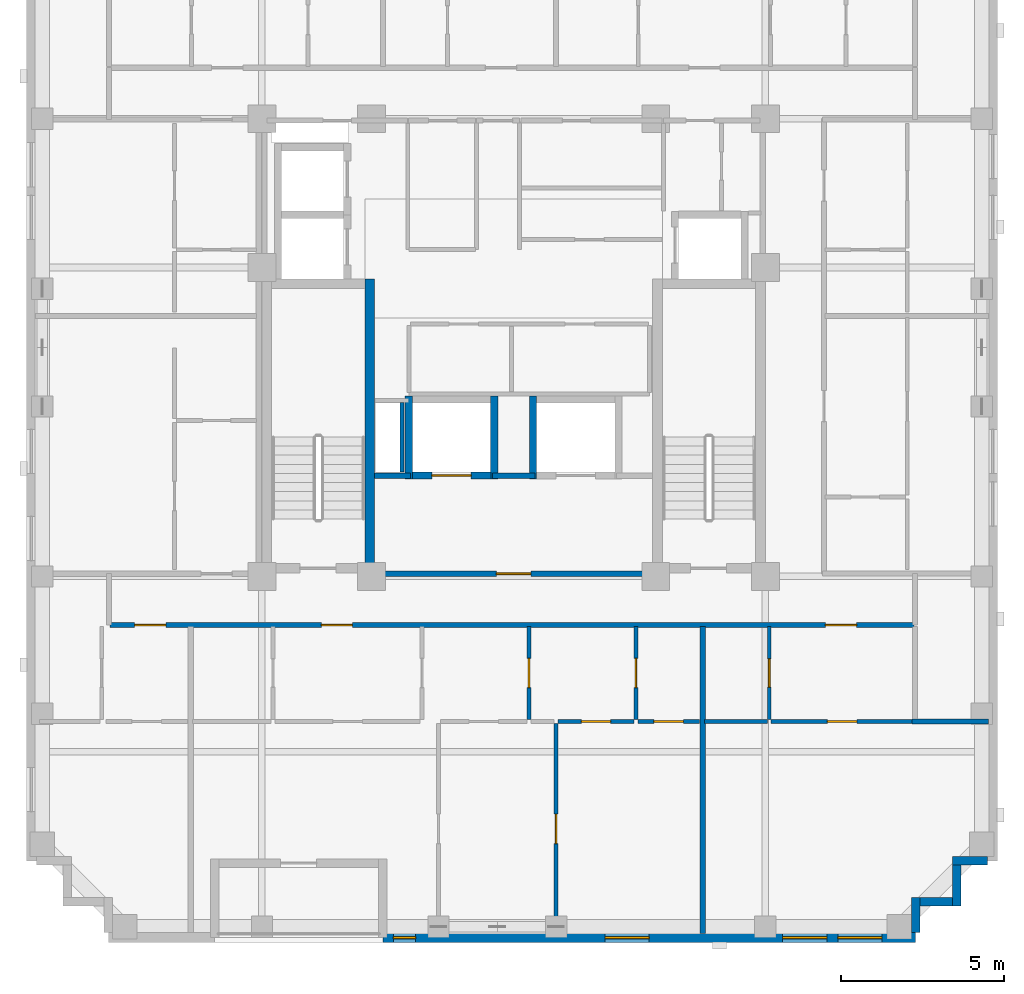
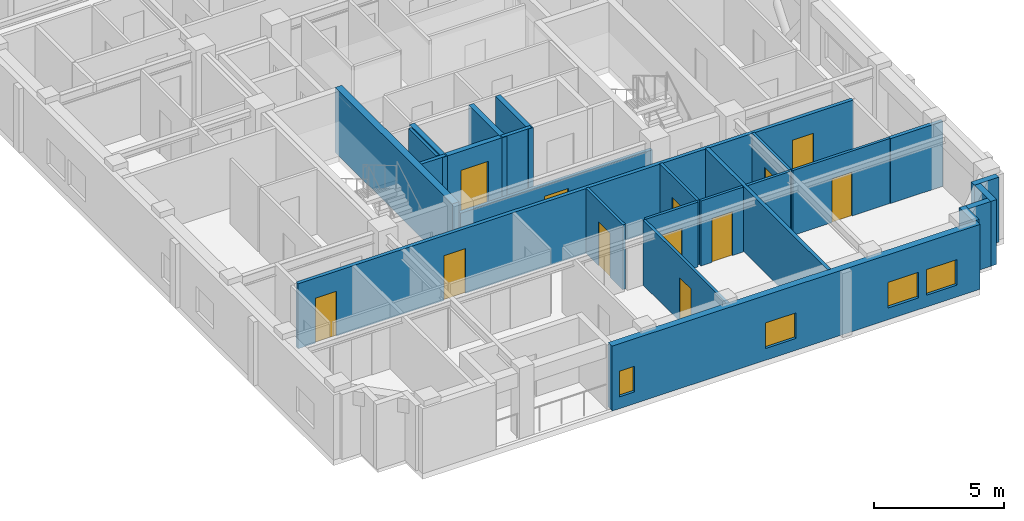
# One storey, part 3 of 11: 25 walls, 12 doors, 4 windows, 16 openings.
"""IFC4 building model written with IfcOpenShell, lengths in metres."""

from ifc_helpers import new_model, si_unit, derived_unit, direction, frame, frame_2d, origin, place, context, subcontext, project, spatial, rectangle, extrude, material, layer, layer_set, type_object, element, fill, save


model = new_model("IFC4")

# Units and contexts
model_context = context("Model", 3, precision=1e-05, world=origin(), true_north=direction((0.0, 1.0)))
body_context = subcontext(model_context, "Body", "Model", "MODEL_VIEW")
ifc_project = project(units=[si_unit("LENGTHUNIT", "METRE"), si_unit("AREAUNIT", "SQUARE_METRE"), si_unit("VOLUMEUNIT", "CUBIC_METRE"), si_unit("PLANEANGLEUNIT", "RADIAN"), si_unit("MASSUNIT", "GRAM", prefix="KILO"), derived_unit("THERMALTRANSMITTANCEUNIT", [(si_unit("MASSUNIT", "GRAM", prefix="KILO"), 1), (si_unit("TIMEUNIT", "SECOND"), -3), (si_unit("THERMODYNAMICTEMPERATUREUNIT", "KELVIN"), -1)])], contexts=[model_context])

# Site, building, storey
site_placement = place(None, origin())
site = spatial("IfcSite", under=ifc_project, at=site_placement, CompositionType="ELEMENT")
building_placement = place(site_placement, origin())
building = spatial("IfcBuilding", under=site, at=building_placement, Name="Korrvale Station Residences", CompositionType="ELEMENT")
storey_placement = place(building_placement, frame((0.0, 0.0, 190.89990234375)))
storey = spatial("IfcBuildingStorey", under=building, at=storey_placement, Name="L55", CompositionType="ELEMENT", Elevation=190.89990234375)

# Walls
ifc_material_1 = material(Name="Concrete C50/60", Category="concrete")
ifc_layer_1 = layer(ifc_material_1, 0.300048828125, Name="Concrete C50/60")
ifc_layer_set_1 = layer_set([ifc_layer_1], Name="Concrete C50/60")
wall_type_1 = type_object("IfcWallType", Name="WAL-CORE-300-C50", PredefinedType="SHEAR", material=ifc_layer_set_1)
wall_1_placement = place(storey_placement, frame((21.10009765625, 15.10009765625, 0.0), z_axis=(0.0, 0.0, 1.0), x_axis=(0.0, 1.0, 0.0)))
element("IfcWall", 1, at=wall_1_placement, inside=storey, type_object=wall_type_1, Name="L55 ST-1 Core Shear Wall East", PredefinedType="SHEAR", context=body_context, shape_type="SweptSolid", body=[
    extrude(rectangle(XDim=9.0, YDim=0.300048828125, at=frame_2d((4.5, 0.0))), origin(), (0.0, 0.0, 1.0), 3.0400390625),
])
ifc_material_2 = material(Name="Precast concrete C45/55", Category="concrete")
ifc_layer_2 = layer(ifc_material_2, 0.260009765625, Name="Precast concrete C45/55")
ifc_layer_set_2 = layer_set([ifc_layer_2], Name="Precast concrete C45/55")
wall_type_2 = type_object("IfcWallType", Name="WAL-EXT-LOG260", PredefinedType="SOLIDWALL", material=ifc_layer_set_2)
wall_2_placement = place(storey_placement, frame((39.998046875, 6.300048828125, 0.0), z_axis=(0.0, 0.0, 1.0), x_axis=(-1.0, 0.0, 0.0)))
element("IfcWall", 2, at=wall_2_placement, inside=storey, type_object=wall_type_2, Name="L55 Serrated Corner Precast Step SE-1", PredefinedType="SOLIDWALL", context=body_context, shape_type="SweptSolid", body=[
    extrude(rectangle(XDim=1.078125, YDim=0.260009765625, at=frame_2d((0.5390625, 0.0))), origin(), (0.0, 0.0, 1.0), 3.0400390625),
])
wall_3_placement = place(storey_placement, frame((39.050048828125, 6.16796875, 0.0), z_axis=(0.0, 0.0, 1.0), x_axis=(0.0, -1.0, 0.0)))
element("IfcWall", 3, at=wall_3_placement, inside=storey, type_object=wall_type_2, Name="L55 Serrated Corner Precast Step SE-2", PredefinedType="SOLIDWALL", context=body_context, shape_type="SweptSolid", body=[
    extrude(rectangle(XDim=1.248046875, YDim=0.260009765625, at=frame_2d((0.6240234375, 0.0))), origin(), (0.0, 0.0, 1.0), 3.0400390625),
])
wall_4_placement = place(storey_placement, frame((38.91796875, 5.050048828125, 0.0), z_axis=(0.0, 0.0, 1.0), x_axis=(-1.0, 0.0, 0.0)))
element("IfcWall", 4, at=wall_4_placement, inside=storey, type_object=wall_type_2, Name="L55 Serrated Corner Precast Step SE-3", PredefinedType="SOLIDWALL", context=body_context, shape_type="SweptSolid", body=[
    extrude(rectangle(XDim=0.986083984375, YDim=0.260009765625, at=frame_2d((0.4931640625, 0.0))), origin(), (0.0, 0.0, 1.0), 3.0400390625),
])
wall_5_placement = place(storey_placement, frame((37.800048828125, 5.179931640625, 0.0), z_axis=(0.0, 0.0, 1.0), x_axis=(0.0, -1.0, 0.0)))
element("IfcWall", 5, at=wall_5_placement, inside=storey, type_object=wall_type_2, Name="L55 Serrated Corner Precast Step SE-4", PredefinedType="SOLIDWALL", context=body_context, shape_type="SweptSolid", body=[
    extrude(rectangle(XDim=1.077880859375, YDim=0.260009765625, at=frame_2d((0.5390625, 0.0))), origin(), (0.0, 0.0, 1.0), 3.0400390625),
])

# Wall, openings, windows
ifc_layer_3 = layer(ifc_material_2, 0.300048828125, Name="Precast concrete C45/55")
ifc_layer_set_3 = layer_set([ifc_layer_3], Name="Precast concrete C45/55")
wall_type_3 = type_object("IfcWallType", Name="WAL-EXT-PC300", PredefinedType="SOLIDWALL", material=ifc_layer_set_3)
wall_6_placement = place(storey_placement, frame((37.800048828125, 3.949951171875, 0.0), z_axis=(0.0, 0.0, 1.0), x_axis=(-1.0, 0.0, 0.0)))
wall_6 = element("IfcWall", 6, at=wall_6_placement, inside=storey, type_object=wall_type_3, Name="L55 South Exterior Precast Wall 1", PredefinedType="SOLIDWALL", context=body_context, shape_type="SweptSolid", body=[
    extrude(rectangle(XDim=16.300048828125, YDim=0.300048828125, at=frame_2d((8.14990234375, 0.0))), origin(), (0.0, 0.0, 1.0), 3.0400390625),
])
opening_1_placement = place(wall_6_placement, frame((15.300048828125, 0.0, 0.550048828125)))
opening_1 = element("IfcOpeningElement", 7, at=opening_1_placement, cuts=wall_6, Name="Opening W-12", PredefinedType="OPENING", context=body_context, shape_type="SweptSolid", body=[
    extrude(rectangle(XDim=0.679931640625, YDim=1.199951171875, at=frame_2d((0.33984375, 0.60009765625))), frame((0.0, 0.16015625, 0.0), z_axis=(0.0, -1.0, 0.0), x_axis=(1.0, 0.0, 0.0)), (0.0, 0.0, 1.0), 0.320068359375),
])
opening_2_placement = place(wall_6_placement, frame((8.154052734375, 0.0, 0.550048828125)))
opening_2 = element("IfcOpeningElement", 8, at=opening_2_placement, cuts=wall_6, Name="Opening W-10", PredefinedType="OPENING", context=body_context, shape_type="SweptSolid", body=[
    extrude(rectangle(XDim=1.35009765625, YDim=1.199951171875, at=frame_2d((0.675048828125, 0.60009765625))), frame((0.0, 0.16015625, 0.0), z_axis=(0.0, -1.0, 0.0), x_axis=(1.0, 0.0, 0.0)), (0.0, 0.0, 1.0), 0.320068359375),
])
opening_3_placement = place(wall_6_placement, frame((2.720947265625, 0.0, 0.550048828125)))
opening_3 = element("IfcOpeningElement", 9, at=opening_3_placement, cuts=wall_6, Name="Opening W-10", PredefinedType="OPENING", context=body_context, shape_type="SweptSolid", body=[
    extrude(rectangle(XDim=1.35009765625, YDim=1.199951171875, at=frame_2d((0.675048828125, 0.60009765625))), frame((0.0, 0.16015625, 0.0), z_axis=(0.0, -1.0, 0.0), x_axis=(1.0, 0.0, 0.0)), (0.0, 0.0, 1.0), 0.320068359375),
])
opening_4_placement = place(wall_6_placement, frame((1.034912109375, 0.0, 0.550048828125)))
opening_4 = element("IfcOpeningElement", 10, at=opening_4_placement, cuts=wall_6, Name="Opening W-10", PredefinedType="OPENING", context=body_context, shape_type="SweptSolid", body=[
    extrude(rectangle(XDim=1.35009765625, YDim=1.199951171875, at=frame_2d((0.675048828125, 0.60009765625))), frame((0.0, 0.16015625, 0.0), z_axis=(0.0, -1.0, 0.0), x_axis=(1.0, 0.0, 0.0)), (0.0, 0.0, 1.0), 0.320068359375),
])
ifc_material_3 = material(Name="Thermally broken aluminium frame with triple low-e glazing", Category="aluminium")
window_type_1 = type_object("IfcWindowType", Name="WIN-W10", PartitioningType="SINGLE_PANEL", PredefinedType="WINDOW", material=ifc_material_3)
window_1_placement = place(opening_2_placement, origin())
window_1 = element("IfcWindow", 11, at=window_1_placement, inside=storey, type_object=window_type_1, Name="L55 Punched Window 03", OverallHeight=1.199951171875, OverallWidth=1.35009765625, PartitioningType="SINGLE_PANEL", PredefinedType="WINDOW", context=body_context, shape_type="SweptSolid", body=[
    extrude(rectangle(XDim=1.35009765625, YDim=1.199951171875, at=frame_2d((0.675048828125, 0.60009765625))), frame((0.0, 0.030029296875, 0.0), z_axis=(0.0, -1.0, 0.0), x_axis=(1.0, 0.0, 0.0)), (0.0, 0.0, 1.0), 0.06005859375),
])
fill(opening_2, window_1)
window_2_placement = place(opening_3_placement, origin())
window_2 = element("IfcWindow", 12, at=window_2_placement, inside=storey, type_object=window_type_1, Name="L55 Punched Window 04", OverallHeight=1.199951171875, OverallWidth=1.35009765625, PartitioningType="SINGLE_PANEL", PredefinedType="WINDOW", context=body_context, shape_type="SweptSolid", body=[
    extrude(rectangle(XDim=1.35009765625, YDim=1.199951171875, at=frame_2d((0.675048828125, 0.60009765625))), frame((0.0, 0.030029296875, 0.0), z_axis=(0.0, -1.0, 0.0), x_axis=(1.0, 0.0, 0.0)), (0.0, 0.0, 1.0), 0.06005859375),
])
fill(opening_3, window_2)
window_3_placement = place(opening_4_placement, origin())
window_3 = element("IfcWindow", 13, at=window_3_placement, inside=storey, type_object=window_type_1, Name="L55 Punched Window 05", OverallHeight=1.199951171875, OverallWidth=1.35009765625, PartitioningType="SINGLE_PANEL", PredefinedType="WINDOW", context=body_context, shape_type="SweptSolid", body=[
    extrude(rectangle(XDim=1.35009765625, YDim=1.199951171875, at=frame_2d((0.675048828125, 0.60009765625))), frame((0.0, 0.030029296875, 0.0), z_axis=(0.0, -1.0, 0.0), x_axis=(1.0, 0.0, 0.0)), (0.0, 0.0, 1.0), 0.06005859375),
])
fill(opening_4, window_3)
window_type_2 = type_object("IfcWindowType", Name="WIN-W12", PartitioningType="SINGLE_PANEL", PredefinedType="WINDOW", material=ifc_material_3)
window_4_placement = place(opening_1_placement, origin())
window_4 = element("IfcWindow", 14, at=window_4_placement, inside=storey, type_object=window_type_2, Name="L55 Punched Window 02", OverallHeight=1.199951171875, OverallWidth=0.679931640625, PartitioningType="SINGLE_PANEL", PredefinedType="WINDOW", context=body_context, shape_type="SweptSolid", body=[
    extrude(rectangle(XDim=0.679931640625, YDim=1.199951171875, at=frame_2d((0.33984375, 0.60009765625))), frame((0.0, 0.030029296875, 0.0), z_axis=(0.0, -1.0, 0.0), x_axis=(1.0, 0.0, 0.0)), (0.0, 0.0, 1.0), 0.06005859375),
])
fill(opening_1, window_4)

# Wall
ifc_material_4 = material(Name="Acoustic steel-stud gypsum board partition", Category="steel")
ifc_layer_4 = layer(ifc_material_4, 0.1201171875, Name="Acoustic steel-stud gypsum board partition")
ifc_layer_set_4 = layer_set([ifc_layer_4], Name="Acoustic steel-stud gypsum board partition")
wall_type_4 = type_object("IfcWallType", Name="WAL-PART-125", PredefinedType="PARTITIONING", material=ifc_layer_set_4)
wall_7_placement = place(storey_placement, frame((22.080078125, 18.199951171875, 0.0), z_axis=(0.0, 0.0, 1.0), x_axis=(0.0, 1.0, 0.0)))
element("IfcWall", 15, at=wall_7_placement, inside=storey, type_object=wall_type_4, Name="L55 Core Partition CW-RSWT", PredefinedType="PARTITIONING", context=body_context, shape_type="SweptSolid", body=[
    extrude(rectangle(XDim=2.1201171875, YDim=0.1201171875, at=frame_2d((1.06005859375, 0.0))), origin(), (0.0, 0.0, 1.0), 3.0400390625),
])

# Wall, opening, door
wall_8_placement = place(storey_placement, frame((25.969970703125, 10.6201171875, 0.0), z_axis=(0.0, 0.0, 1.0), x_axis=(0.0, 1.0, 0.0)))
wall_8 = element("IfcWall", 16, at=wall_8_placement, inside=storey, type_object=wall_type_4, Name="L55 Suite Partition U02-V23", PredefinedType="PARTITIONING", context=body_context, shape_type="SweptSolid", body=[
    extrude(rectangle(XDim=2.849853515625, YDim=0.1201171875, at=frame_2d((1.4248046875, 0.0))), origin(), (0.0, 0.0, 1.0), 3.0400390625),
])
opening_5_placement = place(wall_8_placement, frame((0.97509765625, 0.0, 0.0)))
opening_5 = element("IfcOpeningElement", 17, at=opening_5_placement, cuts=wall_8, Name="Opening DI-900", PredefinedType="OPENING", context=body_context, shape_type="SweptSolid", body=[
    extrude(rectangle(XDim=0.89990234375, YDim=2.050048828125, at=frame_2d((0.449951171875, 1.02490234375))), frame((0.0, 0.070068359375, 0.0), z_axis=(0.0, -1.0, 0.0), x_axis=(1.0, 0.0, 0.0)), (0.0, 0.0, 1.0), 0.14013671875),
])
ifc_material_5 = material(Name="Painted solid-core timber interior room door", Category="wood")
door_type_1 = type_object("IfcDoorType", Name="DR-INT-900", OperationType="NOTDEFINED", PredefinedType="DOOR", material=ifc_material_5)
door_1_placement = place(opening_5_placement, origin())
door_1 = element("IfcDoor", 18, at=door_1_placement, inside=storey, type_object=door_type_1, Name="L55 Apartment 1BR L55-U02 Home Study Room Door", OperationType="SINGLE_SWING_RIGHT", OverallHeight=2.050048828125, OverallWidth=0.89990234375, PredefinedType="DOOR", context=body_context, shape_type="SweptSolid", body=[
    extrude(rectangle(XDim=0.89990234375, YDim=2.050048828125, at=frame_2d((0.449951171875, 1.02490234375))), frame((0.0, 0.02490234375, 0.0), z_axis=(0.0, -1.0, 0.0), x_axis=(1.0, 0.0, 0.0)), (0.0, 0.0, 1.0), 0.050048828125),
])
fill(opening_5, door_1)

wall_9_placement = place(storey_placement, frame((29.239990234375, 10.6201171875, 0.0), z_axis=(0.0, 0.0, 1.0), x_axis=(0.0, 1.0, 0.0)))
wall_9 = element("IfcWall", 19, at=wall_9_placement, inside=storey, type_object=wall_type_4, Name="L55 Suite Partition U02-V34", PredefinedType="PARTITIONING", context=body_context, shape_type="SweptSolid", body=[
    extrude(rectangle(XDim=2.849853515625, YDim=0.1201171875, at=frame_2d((1.4248046875, 0.0))), origin(), (0.0, 0.0, 1.0), 3.0400390625),
])
opening_6_placement = place(wall_9_placement, frame((0.97509765625, 0.0, 0.0)))
opening_6 = element("IfcOpeningElement", 20, at=opening_6_placement, cuts=wall_9, Name="Opening DI-900", PredefinedType="OPENING", context=body_context, shape_type="SweptSolid", body=[
    extrude(rectangle(XDim=0.89990234375, YDim=2.050048828125, at=frame_2d((0.449951171875, 1.02490234375))), frame((0.0, 0.070068359375, 0.0), z_axis=(0.0, -1.0, 0.0), x_axis=(1.0, 0.0, 0.0)), (0.0, 0.0, 1.0), 0.14013671875),
])
door_2_placement = place(opening_6_placement, origin())
door_2 = element("IfcDoor", 21, at=door_2_placement, inside=storey, type_object=door_type_1, Name="L55 Apartment 1BR L55-U02 Home Study Room Door", OperationType="SINGLE_SWING_RIGHT", OverallHeight=2.050048828125, OverallWidth=0.89990234375, PredefinedType="DOOR", context=body_context, shape_type="SweptSolid", body=[
    extrude(rectangle(XDim=0.89990234375, YDim=2.050048828125, at=frame_2d((0.449951171875, 1.02490234375))), frame((0.0, 0.02490234375, 0.0), z_axis=(0.0, -1.0, 0.0), x_axis=(1.0, 0.0, 0.0)), (0.0, 0.0, 1.0), 0.050048828125),
])
fill(opening_6, door_2)

wall_10_placement = place(storey_placement, frame((26.860107421875, 10.56005859375, 0.0), z_axis=(0.0, 0.0, 1.0), x_axis=(1.0, 0.0, 0.0)))
wall_10 = element("IfcWall", 22, at=wall_10_placement, inside=storey, type_object=wall_type_4, Name="L55 Suite Partition U02-H37", PredefinedType="PARTITIONING", context=body_context, shape_type="SweptSolid", body=[
    extrude(rectangle(XDim=2.31982421875, YDim=0.1201171875, at=frame_2d((1.159912109375, 0.0))), origin(), (0.0, 0.0, 1.0), 3.0400390625),
])
opening_7_placement = place(wall_10_placement, frame((0.7099609375, 0.0, 0.0)))
opening_7 = element("IfcOpeningElement", 23, at=opening_7_placement, cuts=wall_10, Name="Opening DI-900", PredefinedType="OPENING", context=body_context, shape_type="SweptSolid", body=[
    extrude(rectangle(XDim=0.89990234375, YDim=2.050048828125, at=frame_2d((0.449951171875, 1.02490234375))), frame((0.0, 0.070068359375, 0.0), z_axis=(0.0, -1.0, 0.0), x_axis=(1.0, 0.0, 0.0)), (0.0, 0.0, 1.0), 0.14013671875),
])
door_3_placement = place(opening_7_placement, origin())
door_3 = element("IfcDoor", 24, at=door_3_placement, inside=storey, type_object=door_type_1, Name="L55 Apartment 1BR L55-U02 Home Study Room Door", OperationType="SINGLE_SWING_LEFT", OverallHeight=2.050048828125, OverallWidth=0.89990234375, PredefinedType="DOOR", context=body_context, shape_type="SweptSolid", body=[
    extrude(rectangle(XDim=0.89990234375, YDim=2.050048828125, at=frame_2d((0.449951171875, 1.02490234375))), frame((0.0, 0.02490234375, 0.0), z_axis=(0.0, -1.0, 0.0), x_axis=(1.0, 0.0, 0.0)), (0.0, 0.0, 1.0), 0.050048828125),
])
fill(opening_7, door_3)

wall_11_placement = place(storey_placement, frame((29.300048828125, 10.56005859375, 0.0), z_axis=(0.0, 0.0, 1.0), x_axis=(1.0, 0.0, 0.0)))
wall_11 = element("IfcWall", 25, at=wall_11_placement, inside=storey, type_object=wall_type_4, Name="L55 Suite Partition U02-H47", PredefinedType="PARTITIONING", context=body_context, shape_type="SweptSolid", body=[
    extrude(rectangle(XDim=1.885986328125, YDim=0.1201171875, at=frame_2d((0.94287109375, 0.0))), origin(), (0.0, 0.0, 1.0), 3.0400390625),
])
opening_8_placement = place(wall_11_placement, frame((0.492919921875, 0.0, 0.0)))
opening_8 = element("IfcOpeningElement", 26, at=opening_8_placement, cuts=wall_11, Name="Opening DI-900", PredefinedType="OPENING", context=body_context, shape_type="SweptSolid", body=[
    extrude(rectangle(XDim=0.89990234375, YDim=2.050048828125, at=frame_2d((0.449951171875, 1.02490234375))), frame((0.0, 0.070068359375, 0.0), z_axis=(0.0, -1.0, 0.0), x_axis=(1.0, 0.0, 0.0)), (0.0, 0.0, 1.0), 0.14013671875),
])
door_4_placement = place(opening_8_placement, origin())
door_4 = element("IfcDoor", 27, at=door_4_placement, inside=storey, type_object=door_type_1, Name="L55 Apartment 1BR L55-U02 Utility and Laundry Room Door", OperationType="SINGLE_SWING_RIGHT", OverallHeight=2.050048828125, OverallWidth=0.89990234375, PredefinedType="DOOR", context=body_context, shape_type="SweptSolid", body=[
    extrude(rectangle(XDim=0.89990234375, YDim=2.050048828125, at=frame_2d((0.449951171875, 1.02490234375))), frame((0.0, 0.02490234375, 0.0), z_axis=(0.0, -1.0, 0.0), x_axis=(1.0, 0.0, 0.0)), (0.0, 0.0, 1.0), 0.050048828125),
])
fill(opening_8, door_4)

wall_12_placement = place(storey_placement, frame((26.800048828125, 4.080078125, 0.0), z_axis=(0.0, 0.0, 1.0), x_axis=(0.0, 1.0, 0.0)))
wall_12 = element("IfcWall", 28, at=wall_12_placement, inside=storey, type_object=wall_type_4, Name="L55 Suite Partition U02-V67", PredefinedType="PARTITIONING", context=body_context, shape_type="SweptSolid", body=[
    extrude(rectangle(XDim=6.419921875, YDim=0.1201171875, at=frame_2d((3.2099609375, 0.0))), origin(), (0.0, 0.0, 1.0), 3.0400390625),
])
opening_9_placement = place(wall_12_placement, frame((2.7451171875, 0.0, 0.0)))
opening_9 = element("IfcOpeningElement", 29, at=opening_9_placement, cuts=wall_12, Name="Opening DI-900", PredefinedType="OPENING", context=body_context, shape_type="SweptSolid", body=[
    extrude(rectangle(XDim=0.89990234375, YDim=2.050048828125, at=frame_2d((0.449951171875, 1.02490234375))), frame((0.0, 0.070068359375, 0.0), z_axis=(0.0, -1.0, 0.0), x_axis=(1.0, 0.0, 0.0)), (0.0, 0.0, 1.0), 0.14013671875),
])
door_5_placement = place(opening_9_placement, origin())
door_5 = element("IfcDoor", 30, at=door_5_placement, inside=storey, type_object=door_type_1, Name="L55 Apartment 1BR L55-U02 Wardrobe Storage Room Door", OperationType="SINGLE_SWING_RIGHT", OverallHeight=2.050048828125, OverallWidth=0.89990234375, PredefinedType="DOOR", context=body_context, shape_type="SweptSolid", body=[
    extrude(rectangle(XDim=0.89990234375, YDim=2.050048828125, at=frame_2d((0.449951171875, 1.02490234375))), frame((0.0, 0.02490234375, 0.0), z_axis=(0.0, -1.0, 0.0), x_axis=(1.0, 0.0, 0.0)), (0.0, 0.0, 1.0), 0.050048828125),
])
fill(opening_9, door_5)

wall_13_placement = place(storey_placement, frame((33.318115234375, 10.6201171875, 0.0), z_axis=(0.0, 0.0, 1.0), x_axis=(0.0, 1.0, 0.0)))
wall_13 = element("IfcWall", 31, at=wall_13_placement, inside=storey, type_object=wall_type_4, Name="L55 Suite Partition U03-V01", PredefinedType="PARTITIONING", context=body_context, shape_type="SweptSolid", body=[
    extrude(rectangle(XDim=2.849853515625, YDim=0.1201171875, at=frame_2d((1.4248046875, 0.0))), origin(), (0.0, 0.0, 1.0), 3.0400390625),
])
opening_10_placement = place(wall_13_placement, frame((0.9951171875, 0.0, 0.0)))
opening_10 = element("IfcOpeningElement", 32, at=opening_10_placement, cuts=wall_13, Name="Opening DB-860", PredefinedType="OPENING", context=body_context, shape_type="SweptSolid", body=[
    extrude(rectangle(XDim=0.860107421875, YDim=2.050048828125, at=frame_2d((0.43017578125, 1.02490234375))), frame((0.0, 0.070068359375, 0.0), z_axis=(0.0, -1.0, 0.0), x_axis=(1.0, 0.0, 0.0)), (0.0, 0.0, 1.0), 0.14013671875),
])
ifc_material_6 = material(Name="Moisture-resistant solid-core bathroom door", Category="timber")
door_type_2 = type_object("IfcDoorType", Name="DR-BATH-860", OperationType="NOTDEFINED", PredefinedType="DOOR", material=ifc_material_6)
door_6_placement = place(opening_10_placement, origin())
door_6 = element("IfcDoor", 33, at=door_6_placement, inside=storey, type_object=door_type_2, Name="L55 Studio Apartment L55-U03 Bathroom Door", OperationType="SINGLE_SWING_LEFT", OverallHeight=2.050048828125, OverallWidth=0.860107421875, PredefinedType="DOOR", context=body_context, shape_type="SweptSolid", body=[
    extrude(rectangle(XDim=0.860107421875, YDim=2.050048828125, at=frame_2d((0.43017578125, 1.02490234375))), frame((0.0, 0.02490234375, 0.0), z_axis=(0.0, -1.0, 0.0), x_axis=(1.0, 0.0, 0.0)), (0.0, 0.0, 1.0), 0.050048828125),
])
fill(opening_10, door_6)

# Wall
wall_14_placement = place(storey_placement, frame((31.345947265625, 10.56005859375, 0.0), z_axis=(0.0, 0.0, 1.0), x_axis=(1.0, 0.0, 0.0)))
element("IfcWall", 34, at=wall_14_placement, inside=storey, type_object=wall_type_4, Name="L55 Suite Partition U03-H02", PredefinedType="PARTITIONING", context=body_context, shape_type="SweptSolid", body=[
    extrude(rectangle(XDim=1.912109375, YDim=0.1201171875, at=frame_2d((0.9560546875, 0.0))), origin(), (0.0, 0.0, 1.0), 3.0400390625),
])

# Wall, opening, door
wall_15_placement = place(storey_placement, frame((33.3779296875, 10.56005859375, 0.0), z_axis=(0.0, 0.0, 1.0), x_axis=(1.0, 0.0, 0.0)))
wall_15 = element("IfcWall", 35, at=wall_15_placement, inside=storey, type_object=wall_type_4, Name="L55 Suite Partition U03-H12", PredefinedType="PARTITIONING", context=body_context, shape_type="SweptSolid", body=[
    extrude(rectangle(XDim=4.342041015625, YDim=0.1201171875, at=frame_2d((2.1708984375, 0.0))), origin(), (0.0, 0.0, 1.0), 3.0400390625),
])
opening_11_placement = place(wall_15_placement, frame((1.720947265625, 0.0, 0.0)))
opening_11 = element("IfcOpeningElement", 36, at=opening_11_placement, cuts=wall_15, Name="Opening DI-900", PredefinedType="OPENING", context=body_context, shape_type="SweptSolid", body=[
    extrude(rectangle(XDim=0.89990234375, YDim=2.050048828125, at=frame_2d((0.449951171875, 1.02490234375))), frame((0.0, 0.070068359375, 0.0), z_axis=(0.0, -1.0, 0.0), x_axis=(1.0, 0.0, 0.0)), (0.0, 0.0, 1.0), 0.14013671875),
])
door_7_placement = place(opening_11_placement, origin())
door_7 = element("IfcDoor", 37, at=door_7_placement, inside=storey, type_object=door_type_1, Name="L55 Studio Apartment L55-U03 Kitchen Door", OperationType="SINGLE_SWING_RIGHT", OverallHeight=2.050048828125, OverallWidth=0.89990234375, PredefinedType="DOOR", context=body_context, shape_type="SweptSolid", body=[
    extrude(rectangle(XDim=0.89990234375, YDim=2.050048828125, at=frame_2d((0.449951171875, 1.02490234375))), frame((0.0, 0.02490234375, 0.0), z_axis=(0.0, -1.0, 0.0), x_axis=(1.0, 0.0, 0.0)), (0.0, 0.0, 1.0), 0.050048828125),
])
fill(opening_11, door_7)

ifc_material_7 = material(Name="Fire-rated twin-stud gypsum and mineral wool shaftwall assembly", Category="gypsum")
ifc_layer_5 = layer(ifc_material_7, 0.159912109375, Name="Fire-rated twin-stud gypsum and mineral wool shaftwall assembly")
ifc_layer_set_5 = layer_set([ifc_layer_5], Name="Fire-rated twin-stud gypsum and mineral wool shaftwall assembly")
wall_type_5 = type_object("IfcWallType", Name="WAL-PART-200", PredefinedType="PARTITIONING", material=ifc_layer_set_5)
wall_16_placement = place(storey_placement, frame((21.25, 15.080078125, 0.0), z_axis=(0.0, 0.0, 1.0), x_axis=(1.0, 0.0, 0.0)))
wall_16 = element("IfcWall", 38, at=wall_16_placement, inside=storey, type_object=wall_type_5, Name="L55 Core Partition CW-FFL-S", PredefinedType="PARTITIONING", context=body_context, shape_type="SweptSolid", body=[
    extrude(rectangle(XDim=8.5, YDim=0.159912109375, at=frame_2d((4.25, 0.0))), origin(), (0.0, 0.0, 1.0), 2.55615234375),
])
opening_12_placement = place(wall_16_placement, frame((3.72509765625, 0.0, 0.0)))
opening_12 = element("IfcOpeningElement", 39, at=opening_12_placement, cuts=wall_16, Name="Opening FD-1050", PredefinedType="OPENING", context=body_context, shape_type="SweptSolid", body=[
    extrude(rectangle(XDim=1.050048828125, YDim=2.050048828125, at=frame_2d((0.52490234375, 1.02490234375))), frame((0.0, 0.08984375, 0.0), z_axis=(0.0, -1.0, 0.0), x_axis=(1.0, 0.0, 0.0)), (0.0, 0.0, 1.0), 0.179931640625),
])
ifc_material_8 = material(Name="Fire-rated mineral-core timber lobby door", Category="wood")
door_type_3 = type_object("IfcDoorType", Name="DR-CORE-1050", OperationType="NOTDEFINED", PredefinedType="DOOR", material=ifc_material_8)
door_8_placement = place(opening_12_placement, origin())
door_8 = element("IfcDoor", 40, at=door_8_placement, inside=storey, type_object=door_type_3, Name="L55 Firefighting Lobby Entry Door", OperationType="SINGLE_SWING_LEFT", OverallHeight=2.050048828125, OverallWidth=1.050048828125, PredefinedType="DOOR", context=body_context, shape_type="SweptSolid", body=[
    extrude(rectangle(XDim=1.050048828125, YDim=2.050048828125, at=frame_2d((0.52490234375, 1.02490234375))), frame((0.0, 0.02490234375, 0.0), z_axis=(0.0, -1.0, 0.0), x_axis=(1.0, 0.0, 0.0)), (0.0, 0.0, 1.0), 0.050048828125),
])
fill(opening_12, door_8)

# Walls
wall_17_placement = place(storey_placement, frame((21.25, 18.080078125, 0.0), z_axis=(0.0, 0.0, 1.0), x_axis=(1.0, 0.0, 0.0)))
element("IfcWall", 41, at=wall_17_placement, inside=storey, type_object=wall_type_5, Name="L55 Core Partition CW-FFL-N1", PredefinedType="PARTITIONING", context=body_context, shape_type="SweptSolid", body=[
    extrude(rectangle(XDim=1.10009765625, YDim=0.159912109375, at=frame_2d((0.550048828125, 0.0))), origin(), (0.0, 0.0, 1.0), 3.0400390625),
])
wall_18_placement = place(storey_placement, frame((24.85009765625, 18.080078125, 0.0), z_axis=(0.0, 0.0, 1.0), x_axis=(1.0, 0.0, 0.0)))
element("IfcWall", 42, at=wall_18_placement, inside=storey, type_object=wall_type_5, Name="L55 Core Partition CW-FFL-N2", PredefinedType="PARTITIONING", context=body_context, shape_type="SweptSolid", body=[
    extrude(rectangle(XDim=1.2998046875, YDim=0.159912109375, at=frame_2d((0.64990234375, 0.0))), origin(), (0.0, 0.0, 1.0), 3.0400390625),
])
wall_19_placement = place(storey_placement, frame((37.679931640625, 10.56005859375, 0.0), z_axis=(0.0, 0.0, 1.0), x_axis=(1.0, 0.0, 0.0)))
element("IfcWall", 43, at=wall_19_placement, inside=storey, type_object=wall_type_5, Name="L55 Corner Step Wall U03-R", PredefinedType="PARTITIONING", context=body_context, shape_type="SweptSolid", body=[
    extrude(rectangle(XDim=2.340087890625, YDim=0.159912109375, at=frame_2d((1.169921875, 0.0))), origin(), (0.0, 0.0, 1.0), 3.0400390625),
])
wall_20_placement = place(storey_placement, frame((31.285888671875, 4.080078125, 0.0), z_axis=(0.0, 0.0, 1.0), x_axis=(0.0, 1.0, 0.0)))
element("IfcWall", 44, at=wall_20_placement, inside=storey, type_object=wall_type_5, Name="L55 Demising Wall U03-W", PredefinedType="PARTITIONING", context=body_context, shape_type="SweptSolid", body=[
    extrude(rectangle(XDim=9.389892578125, YDim=0.159912109375, at=frame_2d((4.69482421875, 0.0))), origin(), (0.0, 0.0, 1.0), 3.0400390625),
])

# Wall, openings, doors
wall_21_placement = place(storey_placement, frame((13.14990234375, 13.510009765625, 0.0), z_axis=(0.0, 0.0, 1.0), x_axis=(1.0, 0.0, 0.0)))
wall_21 = element("IfcWall", 45, at=wall_21_placement, inside=storey, type_object=wall_type_5, Name="L55 Rated Corridor Wall S", PredefinedType="PARTITIONING", context=body_context, shape_type="SweptSolid", body=[
    extrude(rectangle(XDim=24.60009765625, YDim=0.159912109375, at=frame_2d((12.300048828125, 0.0))), origin(), (0.0, 0.0, 1.0), 3.0400390625),
])
opening_13_placement = place(wall_21_placement, frame((0.760009765625, 0.0, 0.0)))
opening_13 = element("IfcOpeningElement", 46, at=opening_13_placement, cuts=wall_21, Name="Opening UD-950", PredefinedType="OPENING", context=body_context, shape_type="SweptSolid", body=[
    extrude(rectangle(XDim=0.949951171875, YDim=2.10009765625, at=frame_2d((0.47509765625, 1.050048828125))), frame((0.0, 0.08984375, 0.0), z_axis=(0.0, -1.0, 0.0), x_axis=(1.0, 0.0, 0.0)), (0.0, 0.0, 1.0), 0.179931640625),
])
opening_14_placement = place(wall_21_placement, frame((6.465087890625, 0.0, 0.0)))
opening_14 = element("IfcOpeningElement", 47, at=opening_14_placement, cuts=wall_21, Name="Opening UD-950", PredefinedType="OPENING", context=body_context, shape_type="SweptSolid", body=[
    extrude(rectangle(XDim=0.949951171875, YDim=2.10009765625, at=frame_2d((0.47509765625, 1.050048828125))), frame((0.0, 0.08984375, 0.0), z_axis=(0.0, -1.0, 0.0), x_axis=(1.0, 0.0, 0.0)), (0.0, 0.0, 1.0), 0.179931640625),
])
opening_15_placement = place(wall_21_placement, frame((21.888916015625, 0.0, 0.0)))
opening_15 = element("IfcOpeningElement", 48, at=opening_15_placement, cuts=wall_21, Name="Opening UD-950", PredefinedType="OPENING", context=body_context, shape_type="SweptSolid", body=[
    extrude(rectangle(XDim=0.949951171875, YDim=2.10009765625, at=frame_2d((0.47509765625, 1.050048828125))), frame((0.0, 0.08984375, 0.0), z_axis=(0.0, -1.0, 0.0), x_axis=(1.0, 0.0, 0.0)), (0.0, 0.0, 1.0), 0.179931640625),
])
ifc_material_9 = material(Name="Solid-core acoustic oak apartment entrance door", Category="timber")
door_type_4 = type_object("IfcDoorType", Name="DR-UNIT-950", OperationType="NOTDEFINED", PredefinedType="DOOR", material=ifc_material_9)
door_9_placement = place(opening_13_placement, origin())
door_9 = element("IfcDoor", 49, at=door_9_placement, inside=storey, type_object=door_type_4, Name="L55 Apartment L55-U01 Entrance Door", OperationType="SINGLE_SWING_RIGHT", OverallHeight=2.10009765625, OverallWidth=0.949951171875, PredefinedType="DOOR", context=body_context, shape_type="SweptSolid", body=[
    extrude(rectangle(XDim=0.949951171875, YDim=2.10009765625, at=frame_2d((0.47509765625, 1.050048828125))), frame((0.0, 0.02490234375, 0.0), z_axis=(0.0, -1.0, 0.0), x_axis=(1.0, 0.0, 0.0)), (0.0, 0.0, 1.0), 0.050048828125),
])
fill(opening_13, door_9)
door_10_placement = place(opening_14_placement, origin())
door_10 = element("IfcDoor", 50, at=door_10_placement, inside=storey, type_object=door_type_4, Name="L55 Apartment L55-U02 Entrance Door", OperationType="SINGLE_SWING_LEFT", OverallHeight=2.10009765625, OverallWidth=0.949951171875, PredefinedType="DOOR", context=body_context, shape_type="SweptSolid", body=[
    extrude(rectangle(XDim=0.949951171875, YDim=2.10009765625, at=frame_2d((0.47509765625, 1.050048828125))), frame((0.0, 0.02490234375, 0.0), z_axis=(0.0, -1.0, 0.0), x_axis=(1.0, 0.0, 0.0)), (0.0, 0.0, 1.0), 0.050048828125),
])
fill(opening_14, door_10)
door_11_placement = place(opening_15_placement, origin())
door_11 = element("IfcDoor", 51, at=door_11_placement, inside=storey, type_object=door_type_4, Name="L55 Apartment L55-U03 Entrance Door", OperationType="SINGLE_SWING_RIGHT", OverallHeight=2.10009765625, OverallWidth=0.949951171875, PredefinedType="DOOR", context=body_context, shape_type="SweptSolid", body=[
    extrude(rectangle(XDim=0.949951171875, YDim=2.10009765625, at=frame_2d((0.47509765625, 1.050048828125))), frame((0.0, 0.02490234375, 0.0), z_axis=(0.0, -1.0, 0.0), x_axis=(1.0, 0.0, 0.0)), (0.0, 0.0, 1.0), 0.050048828125),
])
fill(opening_15, door_11)

# Wall, opening, door
ifc_layer_6 = layer(ifc_material_1, 0.219970703125, Name="Concrete C50/60")
ifc_layer_set_6 = layer_set([ifc_layer_6], Name="Concrete C50/60")
wall_type_6 = type_object("IfcWallType", Name="WAL-SHAFT-220-C50", PredefinedType="SHEAR", material=ifc_layer_set_6)
wall_22_placement = place(storey_placement, frame((22.39990234375, 18.090087890625, 0.0), z_axis=(0.0, 0.0, 1.0), x_axis=(1.0, 0.0, 0.0)))
wall_22 = element("IfcWall", 52, at=wall_22_placement, inside=storey, type_object=wall_type_6, Name="L55 Elevator FFL-1 Hoistway Wall South", PredefinedType="SHEAR", context=body_context, shape_type="SweptSolid", body=[
    extrude(rectangle(XDim=2.400146484375, YDim=0.219970703125, at=frame_2d((1.2001953125, 0.0))), origin(), (0.0, 0.0, 1.0), 3.0400390625),
])
opening_16_placement = place(wall_22_placement, frame((0.60009765625, 0.0, 0.0)))
opening_16 = element("IfcOpeningElement", 53, at=opening_16_placement, cuts=wall_22, Name="Opening LD-FF1200", PredefinedType="OPENING", context=body_context, shape_type="SweptSolid", body=[
    extrude(rectangle(XDim=1.199951171875, YDim=2.14990234375, at=frame_2d((0.60009765625, 1.074951171875))), frame((0.0, 0.1201171875, 0.0), z_axis=(0.0, -1.0, 0.0), x_axis=(1.0, 0.0, 0.0)), (0.0, 0.0, 1.0), 0.239990234375),
])
ifc_material_10 = material(Name="Stainless-steel firefighter elevator landing sliding door", Category="steel")
door_type_5 = type_object("IfcDoorType", Name="DR-LIFT-FF1200", OperationType="SLIDING_TO_LEFT", PredefinedType="DOOR", material=ifc_material_10)
door_12_placement = place(opening_16_placement, origin())
door_12 = element("IfcDoor", 54, at=door_12_placement, inside=storey, type_object=door_type_5, Name="L55 Elevator FFL-1 Sliding Landing Door", OperationType="SLIDING_TO_LEFT", OverallHeight=2.14990234375, OverallWidth=1.199951171875, PredefinedType="DOOR", context=body_context, shape_type="SweptSolid", body=[
    extrude(rectangle(XDim=1.199951171875, YDim=2.14990234375, at=frame_2d((0.60009765625, 1.074951171875))), frame((0.0, 0.02490234375, 0.0), z_axis=(0.0, -1.0, 0.0), x_axis=(1.0, 0.0, 0.0)), (0.0, 0.0, 1.0), 0.050048828125),
])
fill(opening_16, door_12)

# Walls
for number, where, z_axis, x_axis, name in (
    (55, (22.2900390625, 17.97998046875, 0.0), (0.0, 0.0, 1.0), (0.0, 1.0, 0.0), "L55 Elevator FFL-1 Hoistway Wall West"),
    (56, (24.909912109375, 17.97998046875, 0.0), (0.0, 0.0, 1.0), (0.0, 1.0, 0.0), "L55 Elevator FFL-1 Hoistway Wall East"),
    (57, (26.090087890625, 17.97998046875, 0.0), (0.0, 0.0, 1.0), (0.0, 1.0, 0.0), "L55 Elevator FFL-2 Hoistway Wall West"),
):
    element("IfcWall", number, at=place(storey_placement, frame(where, z_axis=z_axis, x_axis=x_axis)), inside=storey, type_object=wall_type_6, Name=name, PredefinedType="SHEAR", context=body_context, shape_type="SweptSolid", body=[
        extrude(rectangle(XDim=2.5400390625, YDim=0.219970703125, at=frame_2d((1.27001953125, 0.0))), origin(), (0.0, 0.0, 1.0), 3.0400390625),
    ])

save(model, "model.ifc")
